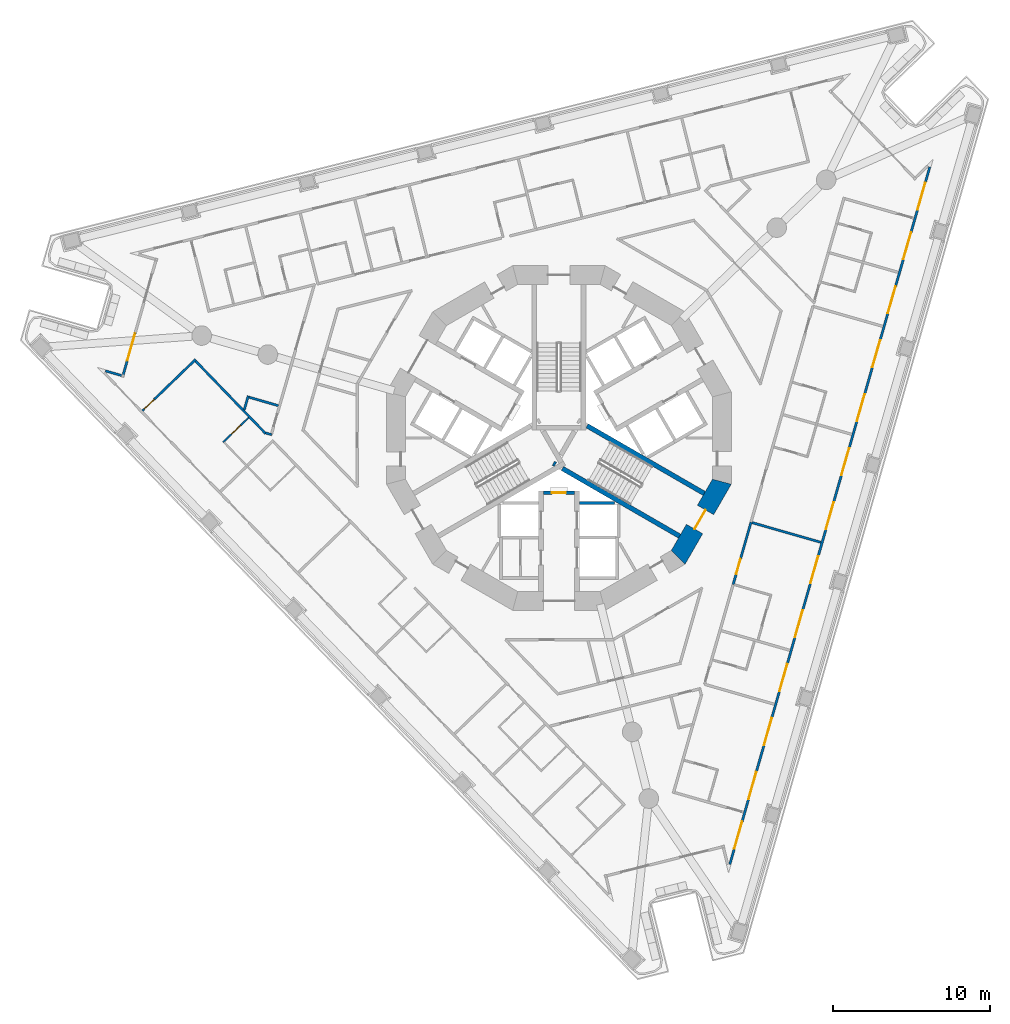
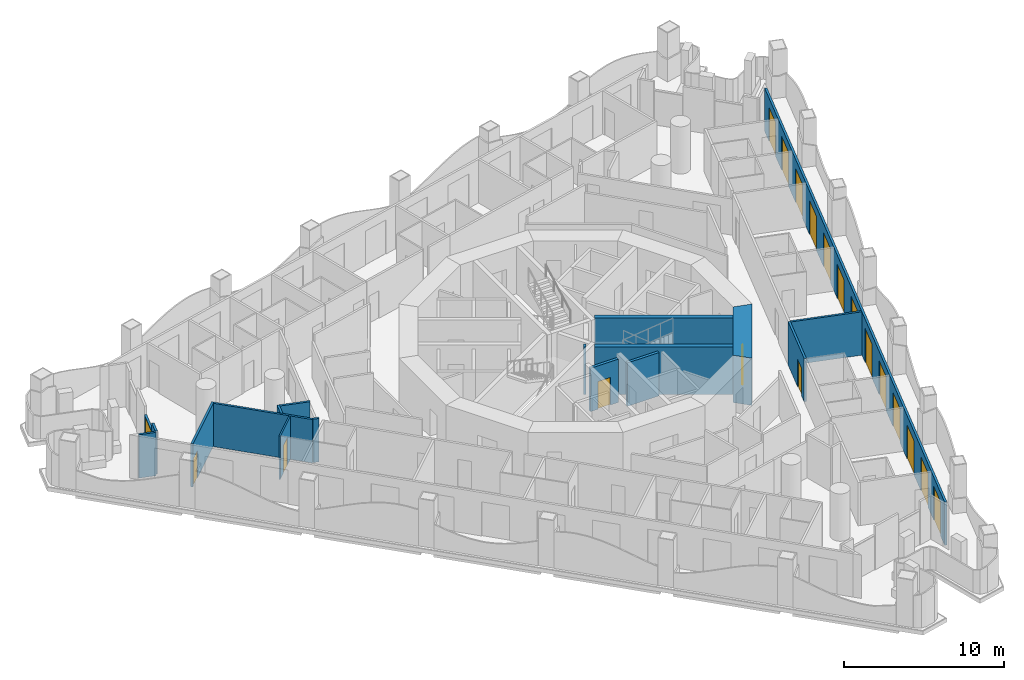
# One storey, part 5 of 18: 19 doors, 18 walls, 19 openings.
"""IFC4 building model written with IfcOpenShell, lengths in metres."""

from ifc_helpers import new_model, si_unit, direction, frame, frame_2d, origin, place, context, subcontext, project, spatial, polyline, rectangle, outline, extrude, material, layer, layer_set, type_object, element, fill, save


model = new_model("IFC4")

# Units and contexts
model_context = context("Model", 3, precision=1e-05, world=origin(), true_north=direction((0.0, 1.0)))
body_context = subcontext(model_context, "Body", "Model", "MODEL_VIEW")
ifc_project = project(units=[si_unit("LENGTHUNIT", "METRE"), si_unit("AREAUNIT", "SQUARE_METRE"), si_unit("VOLUMEUNIT", "CUBIC_METRE"), si_unit("PLANEANGLEUNIT", "RADIAN"), si_unit("MASSUNIT", "GRAM", prefix="KILO")], contexts=[model_context])

# Site, building, storey
site_placement = place(None, origin())
site = spatial("IfcSite", under=ifc_project, at=site_placement, CompositionType="ELEMENT")
building_placement = place(site_placement, origin())
building = spatial("IfcBuilding", under=site, at=building_placement, Name="Trine Commons Tower", CompositionType="ELEMENT")
storey_placement = place(building_placement, frame((0.0, 0.0, 94.5)))
storey = spatial("IfcBuildingStorey", under=building, at=storey_placement, Name="L23", CompositionType="ELEMENT", Elevation=94.5)

# Walls
ifc_material_1 = material(Name="Aluminium-framed insulated wall panel", Category="aluminium")
ifc_layer_1 = layer(ifc_material_1, 0.14990234375)
ifc_layer_set_1 = layer_set([ifc_layer_1], Name="Aluminium-framed insulated wall panel")
wall_type_1 = type_object("IfcWallType", Name="Glazed frame wall 150, EI 60", PredefinedType="SOLIDWALL", material=ifc_layer_set_1)
wall_1_placement = place(storey_placement, frame((50.88232421875, 66.82861328125, 0.0), z_axis=(0.0, 0.0, 1.0), x_axis=(0.961290718071, -0.275536123495, 0.0)))
element("IfcWall", 1, at=wall_1_placement, inside=storey, type_object=wall_type_1, Name="Glazed frame wall R1", PredefinedType="SOLIDWALL", context=body_context, shape_type="SweptSolid", body=[
    extrude(outline(polyline([(0.1494140625, 0.074951171875), (0.1494140625, -0.074951171875), (1.235107421875, -0.074951171875), (1.235107421875, 0.074951171875), (0.1494140625, 0.074951171875)])), origin(), (0.0, 0.0, 1.0), 3.300048828125),
])
wall_2_placement = place(storey_placement, frame((52.1318359375, 66.433837890625, 0.0), z_axis=(0.0, 0.0, 1.0), x_axis=(0.27588175927, 0.961191580749, 0.0)))
element("IfcWall", 2, at=wall_2_placement, inside=storey, type_object=wall_type_1, Name="Glazed frame wall P1.1", PredefinedType="SOLIDWALL", context=body_context, shape_type="SweptSolid", body=[
    extrude(outline(polyline([(0.110107421875, -0.074951171875), (1.0, -0.074951171875), (1.0, 0.074951171875), (0.110107421875, 0.074951171875), (0.110107421875, -0.074951171875)])), origin(), (0.0, 0.0, 1.0), 3.300048828125),
])

# Wall, opening, door
wall_3_placement = place(storey_placement, frame((52.40771484375, 67.39501953125, 0.0), z_axis=(0.0, 0.0, 1.0), x_axis=(0.275620468433, 0.961266538157, 0.0)))
wall_3 = element("IfcWall", 3, at=wall_3_placement, inside=storey, type_object=wall_type_1, Name="Glazed frame wall P1.2", PredefinedType="SOLIDWALL", context=body_context, shape_type="SweptSolid", body=[
    extrude(outline(polyline([(0.0, -0.074951171875), (1.89990234375, -0.074951171875), (1.89990234375, 0.074951171875), (0.0, 0.074951171875), (0.0, -0.074951171875)])), origin(), (0.0, 0.0, 1.0), 2.64990234375),
])
opening_1_placement = place(wall_3_placement, frame((0.050048828125, 0.0, 0.0)))
opening_1 = element("IfcOpeningElement", 4, at=opening_1_placement, cuts=wall_3, Name="Opening BD-3P1-01", PredefinedType="OPENING", context=body_context, shape_type="SweptSolid", body=[
    extrude(rectangle(XDim=1.800048828125, YDim=2.60009765625, at=frame_2d((0.89990234375, 1.300048828125))), frame((0.0, 0.0849609375, 0.0), z_axis=(0.0, -1.0, 0.0), x_axis=(1.0, 0.0, 0.0)), (0.0, 0.0, 1.0), 0.169921875),
])
ifc_material_2 = material(Name="Anodised aluminium frame with double glazing", Category="aluminium")
door_type_1 = type_object("IfcDoorType", Name="Sliding loggia door 1800x2600", OperationType="SLIDING_TO_LEFT", PredefinedType="DOOR", material=ifc_material_2)
door_1_placement = place(opening_1_placement, origin())
door_1 = element("IfcDoor", 5, at=door_1_placement, inside=storey, type_object=door_type_1, Name="Loggia door P1 1", OperationType="SLIDING_TO_LEFT", OverallHeight=2.60009765625, OverallWidth=1.800048828125, PredefinedType="DOOR", context=body_context, shape_type="SweptSolid", body=[
    extrude(rectangle(XDim=1.800048828125, YDim=2.60009765625, at=frame_2d((0.89990234375, 1.300048828125))), frame((0.0, 0.02490234375, 0.0), z_axis=(0.0, -1.0, 0.0), x_axis=(1.0, 0.0, 0.0)), (0.0, 0.0, 1.0), 0.050048828125),
])
fill(opening_1, door_1)

# Wall, openings, doors
wall_4_placement = place(storey_placement, frame((103.735107421875, 79.95703125, 0.0), z_axis=(0.0, 0.0, 1.0), x_axis=(-0.275637625225, -0.961261618687, 0.0)))
wall_4 = element("IfcWall", 6, at=wall_4_placement, inside=storey, type_object=wall_type_1, Name="Glazed frame wall F2", PredefinedType="SOLIDWALL", context=body_context, shape_type="SweptSolid", body=[
    extrude(outline(polyline([(0.1494140625, 0.074951171875), (0.1494140625, -0.074951171875), (46.496826171875, -0.074951171875), (46.496826171875, 0.074951171875), (0.1494140625, 0.074951171875)])), origin(), (0.0, 0.0, 1.0), 3.300048828125),
])
opening_2_placement = place(wall_4_placement, frame((1.194091796875, 0.0, 0.0)))
opening_2 = element("IfcOpeningElement", 7, at=opening_2_placement, cuts=wall_4, Name="Opening BD-3F2-01", PredefinedType="OPENING", context=body_context, shape_type="SweptSolid", body=[
    extrude(rectangle(XDim=1.800048828125, YDim=2.60009765625, at=frame_2d((0.89990234375, 1.300048828125))), frame((0.0, 0.0849609375, 0.0), z_axis=(0.0, -1.0, 0.0), x_axis=(1.0, 0.0, 0.0)), (0.0, 0.0, 1.0), 0.169921875),
])
opening_3_placement = place(wall_4_placement, frame((4.482421875, 0.0, 0.0)))
opening_3 = element("IfcOpeningElement", 8, at=opening_3_placement, cuts=wall_4, Name="Opening BD-3F2-02", PredefinedType="OPENING", context=body_context, shape_type="SweptSolid", body=[
    extrude(rectangle(XDim=1.800048828125, YDim=2.60009765625, at=frame_2d((0.89990234375, 1.300048828125))), frame((0.0, 0.0849609375, 0.0), z_axis=(0.0, -1.0, 0.0), x_axis=(1.0, 0.0, 0.0)), (0.0, 0.0, 1.0), 0.169921875),
])
opening_4_placement = place(wall_4_placement, frame((8.070556640625, 0.0, 0.0)))
opening_4 = element("IfcOpeningElement", 9, at=opening_4_placement, cuts=wall_4, Name="Opening BD-3F2-03", PredefinedType="OPENING", context=body_context, shape_type="SweptSolid", body=[
    extrude(rectangle(XDim=1.800048828125, YDim=2.60009765625, at=frame_2d((0.89990234375, 1.300048828125))), frame((0.0, 0.0849609375, 0.0), z_axis=(0.0, -1.0, 0.0), x_axis=(1.0, 0.0, 0.0)), (0.0, 0.0, 1.0), 0.169921875),
])
opening_5_placement = place(wall_4_placement, frame((11.65869140625, 0.0, 0.0)))
opening_5 = element("IfcOpeningElement", 10, at=opening_5_placement, cuts=wall_4, Name="Opening BD-3F2-04", PredefinedType="OPENING", context=body_context, shape_type="SweptSolid", body=[
    extrude(rectangle(XDim=1.800048828125, YDim=2.60009765625, at=frame_2d((0.89990234375, 1.300048828125))), frame((0.0, 0.0849609375, 0.0), z_axis=(0.0, -1.0, 0.0), x_axis=(1.0, 0.0, 0.0)), (0.0, 0.0, 1.0), 0.169921875),
])
opening_6_placement = place(wall_4_placement, frame((15.246826171875, 0.0, 0.0)))
opening_6 = element("IfcOpeningElement", 11, at=opening_6_placement, cuts=wall_4, Name="Opening BD-3F2-05", PredefinedType="OPENING", context=body_context, shape_type="SweptSolid", body=[
    extrude(rectangle(XDim=1.800048828125, YDim=2.60009765625, at=frame_2d((0.89990234375, 1.300048828125))), frame((0.0, 0.0849609375, 0.0), z_axis=(0.0, -1.0, 0.0), x_axis=(1.0, 0.0, 0.0)), (0.0, 0.0, 1.0), 0.169921875),
])
opening_7_placement = place(wall_4_placement, frame((18.835205078125, 0.0, 0.0)))
opening_7 = element("IfcOpeningElement", 12, at=opening_7_placement, cuts=wall_4, Name="Opening BD-3F2-06", PredefinedType="OPENING", context=body_context, shape_type="SweptSolid", body=[
    extrude(rectangle(XDim=1.800048828125, YDim=2.60009765625, at=frame_2d((0.89990234375, 1.300048828125))), frame((0.0, 0.0849609375, 0.0), z_axis=(0.0, -1.0, 0.0), x_axis=(1.0, 0.0, 0.0)), (0.0, 0.0, 1.0), 0.169921875),
])
opening_8_placement = place(wall_4_placement, frame((22.42333984375, 0.0, 0.0)))
opening_8 = element("IfcOpeningElement", 13, at=opening_8_placement, cuts=wall_4, Name="Opening BD-3F2-07", PredefinedType="OPENING", context=body_context, shape_type="SweptSolid", body=[
    extrude(rectangle(XDim=1.800048828125, YDim=2.60009765625, at=frame_2d((0.89990234375, 1.300048828125))), frame((0.0, 0.0849609375, 0.0), z_axis=(0.0, -1.0, 0.0), x_axis=(1.0, 0.0, 0.0)), (0.0, 0.0, 1.0), 0.169921875),
])
opening_9_placement = place(wall_4_placement, frame((26.011474609375, 0.0, 0.0)))
opening_9 = element("IfcOpeningElement", 14, at=opening_9_placement, cuts=wall_4, Name="Opening BD-3F2-08", PredefinedType="OPENING", context=body_context, shape_type="SweptSolid", body=[
    extrude(rectangle(XDim=1.800048828125, YDim=2.60009765625, at=frame_2d((0.89990234375, 1.300048828125))), frame((0.0, 0.0849609375, 0.0), z_axis=(0.0, -1.0, 0.0), x_axis=(1.0, 0.0, 0.0)), (0.0, 0.0, 1.0), 0.169921875),
])
opening_10_placement = place(wall_4_placement, frame((29.599609375, 0.0, 0.0)))
opening_10 = element("IfcOpeningElement", 15, at=opening_10_placement, cuts=wall_4, Name="Opening BD-3F2-09", PredefinedType="OPENING", context=body_context, shape_type="SweptSolid", body=[
    extrude(rectangle(XDim=1.800048828125, YDim=2.60009765625, at=frame_2d((0.89990234375, 1.300048828125))), frame((0.0, 0.0849609375, 0.0), z_axis=(0.0, -1.0, 0.0), x_axis=(1.0, 0.0, 0.0)), (0.0, 0.0, 1.0), 0.169921875),
])
opening_11_placement = place(wall_4_placement, frame((33.18798828125, 0.0, 0.0)))
opening_11 = element("IfcOpeningElement", 16, at=opening_11_placement, cuts=wall_4, Name="Opening BD-3F2-10", PredefinedType="OPENING", context=body_context, shape_type="SweptSolid", body=[
    extrude(rectangle(XDim=1.800048828125, YDim=2.60009765625, at=frame_2d((0.89990234375, 1.300048828125))), frame((0.0, 0.0849609375, 0.0), z_axis=(0.0, -1.0, 0.0), x_axis=(1.0, 0.0, 0.0)), (0.0, 0.0, 1.0), 0.169921875),
])
opening_12_placement = place(wall_4_placement, frame((36.776123046875, 0.0, 0.0)))
opening_12 = element("IfcOpeningElement", 17, at=opening_12_placement, cuts=wall_4, Name="Opening BD-3F2-11", PredefinedType="OPENING", context=body_context, shape_type="SweptSolid", body=[
    extrude(rectangle(XDim=1.800048828125, YDim=2.60009765625, at=frame_2d((0.89990234375, 1.300048828125))), frame((0.0, 0.0849609375, 0.0), z_axis=(0.0, -1.0, 0.0), x_axis=(1.0, 0.0, 0.0)), (0.0, 0.0, 1.0), 0.169921875),
])
opening_13_placement = place(wall_4_placement, frame((40.3642578125, 0.0, 0.0)))
opening_13 = element("IfcOpeningElement", 18, at=opening_13_placement, cuts=wall_4, Name="Opening BD-3F2-12", PredefinedType="OPENING", context=body_context, shape_type="SweptSolid", body=[
    extrude(rectangle(XDim=1.800048828125, YDim=2.60009765625, at=frame_2d((0.89990234375, 1.300048828125))), frame((0.0, 0.0849609375, 0.0), z_axis=(0.0, -1.0, 0.0), x_axis=(1.0, 0.0, 0.0)), (0.0, 0.0, 1.0), 0.169921875),
])
opening_14_placement = place(wall_4_placement, frame((43.652587890625, 0.0, 0.0)))
opening_14 = element("IfcOpeningElement", 19, at=opening_14_placement, cuts=wall_4, Name="Opening BD-3F2-13", PredefinedType="OPENING", context=body_context, shape_type="SweptSolid", body=[
    extrude(rectangle(XDim=1.800048828125, YDim=2.60009765625, at=frame_2d((0.89990234375, 1.300048828125))), frame((0.0, 0.0849609375, 0.0), z_axis=(0.0, -1.0, 0.0), x_axis=(1.0, 0.0, 0.0)), (0.0, 0.0, 1.0), 0.169921875),
])
door_2_placement = place(opening_2_placement, origin())
door_2 = element("IfcDoor", 20, at=door_2_placement, inside=storey, type_object=door_type_1, Name="Loggia door F2 1", OperationType="SLIDING_TO_LEFT", OverallHeight=2.60009765625, OverallWidth=1.800048828125, PredefinedType="DOOR", context=body_context, shape_type="SweptSolid", body=[
    extrude(rectangle(XDim=1.800048828125, YDim=2.60009765625, at=frame_2d((0.89990234375, 1.300048828125))), frame((0.0, 0.02490234375, 0.0), z_axis=(0.0, -1.0, 0.0), x_axis=(1.0, 0.0, 0.0)), (0.0, 0.0, 1.0), 0.050048828125),
])
fill(opening_2, door_2)
door_3_placement = place(opening_3_placement, origin())
door_3 = element("IfcDoor", 21, at=door_3_placement, inside=storey, type_object=door_type_1, Name="Loggia door F2 2", OperationType="SLIDING_TO_LEFT", OverallHeight=2.60009765625, OverallWidth=1.800048828125, PredefinedType="DOOR", context=body_context, shape_type="SweptSolid", body=[
    extrude(rectangle(XDim=1.800048828125, YDim=2.60009765625, at=frame_2d((0.89990234375, 1.300048828125))), frame((0.0, 0.02490234375, 0.0), z_axis=(0.0, -1.0, 0.0), x_axis=(1.0, 0.0, 0.0)), (0.0, 0.0, 1.0), 0.050048828125),
])
fill(opening_3, door_3)
door_4_placement = place(opening_4_placement, origin())
door_4 = element("IfcDoor", 22, at=door_4_placement, inside=storey, type_object=door_type_1, Name="Loggia door F2 3", OperationType="SLIDING_TO_LEFT", OverallHeight=2.60009765625, OverallWidth=1.800048828125, PredefinedType="DOOR", context=body_context, shape_type="SweptSolid", body=[
    extrude(rectangle(XDim=1.800048828125, YDim=2.60009765625, at=frame_2d((0.89990234375, 1.300048828125))), frame((0.0, 0.02490234375, 0.0), z_axis=(0.0, -1.0, 0.0), x_axis=(1.0, 0.0, 0.0)), (0.0, 0.0, 1.0), 0.050048828125),
])
fill(opening_4, door_4)
door_5_placement = place(opening_5_placement, origin())
door_5 = element("IfcDoor", 23, at=door_5_placement, inside=storey, type_object=door_type_1, Name="Loggia door F2 4", OperationType="SLIDING_TO_LEFT", OverallHeight=2.60009765625, OverallWidth=1.800048828125, PredefinedType="DOOR", context=body_context, shape_type="SweptSolid", body=[
    extrude(rectangle(XDim=1.800048828125, YDim=2.60009765625, at=frame_2d((0.89990234375, 1.300048828125))), frame((0.0, 0.02490234375, 0.0), z_axis=(0.0, -1.0, 0.0), x_axis=(1.0, 0.0, 0.0)), (0.0, 0.0, 1.0), 0.050048828125),
])
fill(opening_5, door_5)
door_6_placement = place(opening_6_placement, origin())
door_6 = element("IfcDoor", 24, at=door_6_placement, inside=storey, type_object=door_type_1, Name="Loggia door F2 5", OperationType="SLIDING_TO_LEFT", OverallHeight=2.60009765625, OverallWidth=1.800048828125, PredefinedType="DOOR", context=body_context, shape_type="SweptSolid", body=[
    extrude(rectangle(XDim=1.800048828125, YDim=2.60009765625, at=frame_2d((0.89990234375, 1.300048828125))), frame((0.0, 0.02490234375, 0.0), z_axis=(0.0, -1.0, 0.0), x_axis=(1.0, 0.0, 0.0)), (0.0, 0.0, 1.0), 0.050048828125),
])
fill(opening_6, door_6)
door_7_placement = place(opening_7_placement, origin())
door_7 = element("IfcDoor", 25, at=door_7_placement, inside=storey, type_object=door_type_1, Name="Loggia door F2 6", OperationType="SLIDING_TO_LEFT", OverallHeight=2.60009765625, OverallWidth=1.800048828125, PredefinedType="DOOR", context=body_context, shape_type="SweptSolid", body=[
    extrude(rectangle(XDim=1.800048828125, YDim=2.60009765625, at=frame_2d((0.89990234375, 1.300048828125))), frame((0.0, 0.02490234375, 0.0), z_axis=(0.0, -1.0, 0.0), x_axis=(1.0, 0.0, 0.0)), (0.0, 0.0, 1.0), 0.050048828125),
])
fill(opening_7, door_7)
door_8_placement = place(opening_8_placement, origin())
door_8 = element("IfcDoor", 26, at=door_8_placement, inside=storey, type_object=door_type_1, Name="Loggia door F2 7", OperationType="SLIDING_TO_LEFT", OverallHeight=2.60009765625, OverallWidth=1.800048828125, PredefinedType="DOOR", context=body_context, shape_type="SweptSolid", body=[
    extrude(rectangle(XDim=1.800048828125, YDim=2.60009765625, at=frame_2d((0.89990234375, 1.300048828125))), frame((0.0, 0.02490234375, 0.0), z_axis=(0.0, -1.0, 0.0), x_axis=(1.0, 0.0, 0.0)), (0.0, 0.0, 1.0), 0.050048828125),
])
fill(opening_8, door_8)
door_9_placement = place(opening_9_placement, origin())
door_9 = element("IfcDoor", 27, at=door_9_placement, inside=storey, type_object=door_type_1, Name="Loggia door F2 8", OperationType="SLIDING_TO_LEFT", OverallHeight=2.60009765625, OverallWidth=1.800048828125, PredefinedType="DOOR", context=body_context, shape_type="SweptSolid", body=[
    extrude(rectangle(XDim=1.800048828125, YDim=2.60009765625, at=frame_2d((0.89990234375, 1.300048828125))), frame((0.0, 0.02490234375, 0.0), z_axis=(0.0, -1.0, 0.0), x_axis=(1.0, 0.0, 0.0)), (0.0, 0.0, 1.0), 0.050048828125),
])
fill(opening_9, door_9)
door_10_placement = place(opening_10_placement, origin())
door_10 = element("IfcDoor", 28, at=door_10_placement, inside=storey, type_object=door_type_1, Name="Loggia door F2 9", OperationType="SLIDING_TO_LEFT", OverallHeight=2.60009765625, OverallWidth=1.800048828125, PredefinedType="DOOR", context=body_context, shape_type="SweptSolid", body=[
    extrude(rectangle(XDim=1.800048828125, YDim=2.60009765625, at=frame_2d((0.89990234375, 1.300048828125))), frame((0.0, 0.02490234375, 0.0), z_axis=(0.0, -1.0, 0.0), x_axis=(1.0, 0.0, 0.0)), (0.0, 0.0, 1.0), 0.050048828125),
])
fill(opening_10, door_10)
door_11_placement = place(opening_11_placement, origin())
door_11 = element("IfcDoor", 29, at=door_11_placement, inside=storey, type_object=door_type_1, Name="Loggia door F2 10", OperationType="SLIDING_TO_LEFT", OverallHeight=2.60009765625, OverallWidth=1.800048828125, PredefinedType="DOOR", context=body_context, shape_type="SweptSolid", body=[
    extrude(rectangle(XDim=1.800048828125, YDim=2.60009765625, at=frame_2d((0.89990234375, 1.300048828125))), frame((0.0, 0.02490234375, 0.0), z_axis=(0.0, -1.0, 0.0), x_axis=(1.0, 0.0, 0.0)), (0.0, 0.0, 1.0), 0.050048828125),
])
fill(opening_11, door_11)
door_12_placement = place(opening_12_placement, origin())
door_12 = element("IfcDoor", 30, at=door_12_placement, inside=storey, type_object=door_type_1, Name="Loggia door F2 11", OperationType="SLIDING_TO_LEFT", OverallHeight=2.60009765625, OverallWidth=1.800048828125, PredefinedType="DOOR", context=body_context, shape_type="SweptSolid", body=[
    extrude(rectangle(XDim=1.800048828125, YDim=2.60009765625, at=frame_2d((0.89990234375, 1.300048828125))), frame((0.0, 0.02490234375, 0.0), z_axis=(0.0, -1.0, 0.0), x_axis=(1.0, 0.0, 0.0)), (0.0, 0.0, 1.0), 0.050048828125),
])
fill(opening_12, door_12)
door_13_placement = place(opening_13_placement, origin())
door_13 = element("IfcDoor", 31, at=door_13_placement, inside=storey, type_object=door_type_1, Name="Loggia door F2 12", OperationType="SLIDING_TO_LEFT", OverallHeight=2.60009765625, OverallWidth=1.800048828125, PredefinedType="DOOR", context=body_context, shape_type="SweptSolid", body=[
    extrude(rectangle(XDim=1.800048828125, YDim=2.60009765625, at=frame_2d((0.89990234375, 1.300048828125))), frame((0.0, 0.02490234375, 0.0), z_axis=(0.0, -1.0, 0.0), x_axis=(1.0, 0.0, 0.0)), (0.0, 0.0, 1.0), 0.050048828125),
])
fill(opening_13, door_13)
door_14_placement = place(opening_14_placement, origin())
door_14 = element("IfcDoor", 32, at=door_14_placement, inside=storey, type_object=door_type_1, Name="Loggia door F2 13", OperationType="SLIDING_TO_LEFT", OverallHeight=2.60009765625, OverallWidth=1.800048828125, PredefinedType="DOOR", context=body_context, shape_type="SweptSolid", body=[
    extrude(rectangle(XDim=1.800048828125, YDim=2.60009765625, at=frame_2d((0.89990234375, 1.300048828125))), frame((0.0, 0.02490234375, 0.0), z_axis=(0.0, -1.0, 0.0), x_axis=(1.0, 0.0, 0.0)), (0.0, 0.0, 1.0), 0.050048828125),
])
fill(opening_14, door_14)

# Wall, opening, door
ifc_material_3 = material(Name="Fire-rated gypsum shaft wall system")
ifc_layer_2 = layer(ifc_material_3, 0.199951171875)
ifc_layer_set_2 = layer_set([ifc_layer_2], Name="Fire-rated gypsum shaft wall system")
wall_type_2 = type_object("IfcWallType", Name="Lobby end wall 200 mm, EI 120", PredefinedType="PARTITIONING", material=ifc_layer_set_2)
wall_5_placement = place(storey_placement, frame((79.0, 59.0, 0.0), z_axis=(0.0, 0.0, 1.0), x_axis=(1.0, 0.0, 0.0)))
wall_5 = element("IfcWall", 33, at=wall_5_placement, inside=storey, type_object=wall_type_2, Name="Lobby end wall L23", PredefinedType="PARTITIONING", context=body_context, shape_type="SweptSolid", body=[
    extrude(rectangle(XDim=2.0, YDim=0.199951171875, at=frame_2d((1.0, 0.0))), origin(), (0.0, 0.0, 1.0), 3.300048828125),
])
opening_15_placement = place(wall_5_placement, frame((0.550048828125, 0.0, 0.0)))
opening_15 = element("IfcOpeningElement", 34, at=opening_15_placement, cuts=wall_5, Name="Opening K06.09", PredefinedType="OPENING", context=body_context, shape_type="SweptSolid", body=[
    extrude(rectangle(XDim=0.89990234375, YDim=2.10009765625, at=frame_2d((0.449951171875, 1.050048828125))), frame((0.0, 0.10986328125, 0.0), z_axis=(0.0, -1.0, 0.0), x_axis=(1.0, 0.0, 0.0)), (0.0, 0.0, 1.0), 0.219970703125),
])
ifc_material_4 = material(Name="Steel door leaf, fire-rated", Category="steel")
door_type_2 = type_object("IfcDoorType", Name="Riser access door, single leaf 900 x 2100, FD60", OperationType="SINGLE_SWING_LEFT", PredefinedType="DOOR", material=ifc_material_4)
door_15_placement = place(opening_15_placement, frame((0.89990234375, 0.0, 0.0), z_axis=(0.0, 0.0, 1.0), x_axis=(-1.0, 0.0, 0.0)))
door_15 = element("IfcDoor", 35, at=door_15_placement, inside=storey, type_object=door_type_2, Name="Riser door, Communications riser L23", OperationType="SINGLE_SWING_RIGHT", OverallHeight=2.10009765625, OverallWidth=0.89990234375, PredefinedType="DOOR", context=body_context, shape_type="SweptSolid", body=[
    extrude(rectangle(XDim=0.89990234375, YDim=2.10009765625, at=frame_2d((0.449951171875, 1.050048828125))), frame((0.0, 0.02490234375, 0.0), z_axis=(0.0, -1.0, 0.0), x_axis=(1.0, 0.0, 0.0)), (0.0, 0.0, 1.0), 0.050048828125),
])
fill(opening_15, door_15)

ifc_material_5 = material(Name="Concrete C70/85", Category="concrete")
ifc_layer_3 = layer(ifc_material_5, 1.199951171875)
ifc_layer_set_3 = layer_set([ifc_layer_3], Name="Concrete C70/85")
wall_type_3 = type_object("IfcWallType", Name="RC shear wall 1200 mm, C70/85", PredefinedType="SHEAR", material=ifc_layer_set_3)
wall_6_placement = place(storey_placement, frame((87.54150390625, 54.739013671875, 0.0), z_axis=(0.0, 0.0, 1.0), x_axis=(0.499979111662, 0.866037463336, 0.0)))
wall_6 = element("IfcWall", 36, at=wall_6_placement, inside=storey, type_object=wall_type_3, Name="Core wall CWC-12 L23", PredefinedType="SHEAR", context=body_context, shape_type="SweptSolid", body=[
    extrude(outline(polyline([(0.0, -0.60009765625), (5.901123046875, -0.60009765625), (5.57958984375, 0.60009765625), (0.321533203125, 0.60009765625), (0.0, -0.60009765625)])), origin(), (0.0, 0.0, 1.0), 3.60009765625),
])
opening_16_placement = place(wall_6_placement, frame((2.25048828125, 0.0, 0.0)))
opening_16 = element("IfcOpeningElement", 37, at=opening_16_placement, cuts=wall_6, Name="Opening K06.03", PredefinedType="OPENING", context=body_context, shape_type="SweptSolid", body=[
    extrude(rectangle(XDim=1.39990234375, YDim=2.10009765625, at=frame_2d((0.699951171875, 1.050048828125))), frame((0.0, 0.60986328125, 0.0), z_axis=(0.0, -1.0, 0.0), x_axis=(1.0, 0.0, 0.0)), (0.0, 0.0, 1.0), 1.219970703125),
])
ifc_material_6 = material(Name="Steel door leaves, fire-rated", Category="steel")
door_type_3 = type_object("IfcDoorType", Name="Stair door, double leaf 1400 x 2100, FD90", OperationType="DOUBLE_DOOR_SINGLE_SWING", PredefinedType="DOOR", material=ifc_material_6)
door_16_placement = place(opening_16_placement, origin())
door_16 = element("IfcDoor", 38, at=door_16_placement, inside=storey, type_object=door_type_3, Name="Stair door to Exit stair ST3A L23", OperationType="DOUBLE_DOOR_SINGLE_SWING", OverallHeight=2.10009765625, OverallWidth=1.39990234375, PredefinedType="DOOR", context=body_context, shape_type="SweptSolid", body=[
    extrude(rectangle(XDim=1.39990234375, YDim=2.10009765625, at=frame_2d((0.699951171875, 1.050048828125))), frame((0.0, 0.02490234375, 0.0), z_axis=(0.0, -1.0, 0.0), x_axis=(1.0, 0.0, 0.0)), (0.0, 0.0, 1.0), 0.050048828125),
])
fill(opening_16, door_16)

# Walls
ifc_layer_4 = layer(ifc_material_5, 0.300048828125)
ifc_layer_set_4 = layer_set([ifc_layer_4], Name="Concrete C70/85")
wall_type_4 = type_object("IfcWallType", Name="RC shear wall 300 mm, C70/85", PredefinedType="SHEAR", material=ifc_layer_set_4)
wall_7_placement = place(storey_placement, frame((79.64599609375, 60.885986328125, 0.0), z_axis=(0.0, 0.0, 1.0), x_axis=(0.867331893649, -0.497730234424, 0.0)))
element("IfcWall", 39, at=wall_7_placement, inside=storey, type_object=wall_type_4, Name="Core cross wall SWA-11 L23", PredefinedType="SHEAR", context=body_context, shape_type="SweptSolid", body=[
    extrude(rectangle(XDim=0.148681640625, YDim=0.300048828125, at=frame_2d((0.07421875, 0.0))), origin(), (0.0, 0.0, 1.0), 3.60009765625),
])
for number, where, z_axis, x_axis, name in (
    (40, (80.22509765625, 60.552001953125, 0.0), (0.0, 0.0, 1.0), (0.865965399159, -0.500103916661, 0.0), "Core cross wall SWA-13 L23"),
    (41, (81.800048828125, 63.280029296875, 0.0), (0.0, 0.0, 1.0), (0.865965399159, -0.500103916661, 0.0), "Core cross wall SWA-18 L23"),
):
    element("IfcWall", number, at=place(storey_placement, frame(where, z_axis=z_axis, x_axis=x_axis)), inside=storey, type_object=wall_type_4, Name=name, PredefinedType="SHEAR", context=body_context, shape_type="SweptSolid", body=[
        extrude(rectangle(XDim=8.642333984375, YDim=0.300048828125, at=frame_2d((4.3212890625, 0.0))), origin(), (0.0, 0.0, 1.0), 3.60009765625),
    ])
ifc_layer_5 = layer(ifc_material_3, 0.199951171875)
ifc_layer_set_5 = layer_set([ifc_layer_5], Name="Fire-rated gypsum shaft wall system")
wall_type_5 = type_object("IfcWallType", Name="Shaft wall 200 mm, EI 120", PredefinedType="PARTITIONING", material=ifc_layer_set_5)
wall_8_placement = place(storey_placement, frame((81.300048828125, 58.35009765625, 0.0), z_axis=(0.0, 0.0, 1.0), x_axis=(1.0, 0.0, 0.0)))
element("IfcWall", 42, at=wall_8_placement, inside=storey, type_object=wall_type_5, Name="Shaft wall L23", PredefinedType="PARTITIONING", context=body_context, shape_type="SweptSolid", body=[
    extrude(rectangle(XDim=2.264892578125, YDim=0.199951171875, at=frame_2d((1.13232421875, 0.0))), origin(), (0.0, 0.0, 1.0), 3.300048828125),
])

# Wall, opening, door
ifc_material_7 = material(Name="Gypsum plasterboard on steel stud", Category="steel")
ifc_layer_6 = layer(ifc_material_7, 0.14990234375)
ifc_layer_set_6 = layer_set([ifc_layer_6], Name="Gypsum plasterboard on steel stud")
wall_type_6 = type_object("IfcWallType", Name="Unit and corridor wall 150 mm, EI 60", PredefinedType="PARTITIONING", material=ifc_layer_set_6)
wall_9_placement = place(storey_placement, frame((53.393798828125, 64.24169921875, 0.0), z_axis=(0.0, 0.0, 1.0), x_axis=(0.719250925674, 0.694750391088, 0.0)))
wall_9 = element("IfcWall", 43, at=wall_9_placement, inside=storey, type_object=wall_type_6, Name="Partition 001", PredefinedType="PARTITIONING", context=body_context, shape_type="SweptSolid", body=[
    extrude(rectangle(XDim=4.723388671875, YDim=0.14990234375, at=frame_2d((2.36181640625, 0.0))), origin(), (0.0, 0.0, 1.0), 3.300048828125),
])
opening_17_placement = place(wall_9_placement, frame((0.14990234375, 0.0, 0.0)))
opening_17 = element("IfcOpeningElement", 44, at=opening_17_placement, cuts=wall_9, Name="Opening D-3A28", PredefinedType="OPENING", context=body_context, shape_type="SweptSolid", body=[
    extrude(rectangle(XDim=0.89990234375, YDim=2.10009765625, at=frame_2d((0.449951171875, 1.050048828125))), frame((0.0, 0.0849609375, 0.0), z_axis=(0.0, -1.0, 0.0), x_axis=(1.0, 0.0, 0.0)), (0.0, 0.0, 1.0), 0.169921875),
])
ifc_material_8 = material(Name="Timber fire door set", Category="wood")
door_type_4 = type_object("IfcDoorType", Name="Bedroom door 900 x 2100, FD30S", OperationType="NOTDEFINED", PredefinedType="DOOR", material=ifc_material_8)
door_17_placement = place(opening_17_placement, frame((0.89990234375, 0.0, 0.0), z_axis=(0.0, 0.0, 1.0), x_axis=(-1.0, 0.0, 0.0)))
door_17 = element("IfcDoor", 45, at=door_17_placement, inside=storey, type_object=door_type_4, Name="Door D-3A28", OperationType="SINGLE_SWING_RIGHT", OverallHeight=2.10009765625, OverallWidth=0.89990234375, PredefinedType="DOOR", context=body_context, shape_type="SweptSolid", body=[
    extrude(rectangle(XDim=0.89990234375, YDim=2.10009765625, at=frame_2d((0.449951171875, 1.050048828125))), frame((0.0, 0.02490234375, 0.0), z_axis=(0.0, -1.0, 0.0), x_axis=(1.0, 0.0, 0.0)), (0.0, 0.0, 1.0), 0.050048828125),
])
fill(opening_17, door_17)

# Walls
wall_10_placement = place(storey_placement, frame((56.7890625, 67.4169921875, 0.0), z_axis=(0.0, 0.0, 1.0), x_axis=(0.694658112977, -0.719340048986, 0.0)))
element("IfcWall", 46, at=wall_10_placement, inside=storey, type_object=wall_type_6, Name="Partition 003", PredefinedType="PARTITIONING", context=body_context, shape_type="SweptSolid", body=[
    extrude(rectangle(XDim=6.439453125, YDim=0.14990234375, at=frame_2d((3.2197265625, 0.0))), origin(), (0.0, 0.0, 1.0), 3.300048828125),
])
wall_11_placement = place(storey_placement, frame((59.8935546875, 64.295166015625, 0.0), z_axis=(0.0, 0.0, 1.0), x_axis=(0.275099226296, 0.96141583911, 0.0)))
element("IfcWall", 47, at=wall_11_placement, inside=storey, type_object=wall_type_6, Name="Partition 011", PredefinedType="PARTITIONING", context=body_context, shape_type="SweptSolid", body=[
    extrude(rectangle(XDim=0.93798828125, YDim=0.14990234375, at=frame_2d((0.468994140625, 0.0))), origin(), (0.0, 0.0, 1.0), 3.300048828125),
])
wall_12_placement = place(storey_placement, frame((60.203125, 65.104248046875, 0.0), z_axis=(0.0, 0.0, 1.0), x_axis=(0.961258970078, -0.275646861845, 0.0)))
element("IfcWall", 48, at=wall_12_placement, inside=storey, type_object=wall_type_6, Name="Partition 013", PredefinedType="PARTITIONING", context=body_context, shape_type="SweptSolid", body=[
    extrude(rectangle(XDim=1.9501953125, YDim=0.14990234375, at=frame_2d((0.97509765625, 0.0))), origin(), (0.0, 0.0, 1.0), 3.300048828125),
])
wall_13_placement = place(storey_placement, frame((61.261962890625, 62.823974609375, 0.0), z_axis=(0.0, 0.0, 1.0), x_axis=(0.960829843292, -0.2771389764, 0.0)))
element("IfcWall", 49, at=wall_13_placement, inside=storey, type_object=wall_type_6, Name="Partition 016", PredefinedType="PARTITIONING", context=body_context, shape_type="SweptSolid", body=[
    extrude(rectangle(XDim=0.39990234375, YDim=0.14990234375, at=frame_2d((0.199951171875, 0.0))), origin(), (0.0, 0.0, 1.0), 3.300048828125),
])

# Wall, opening, door
wall_14_placement = place(storey_placement, frame((91.134033203125, 53.14404296875, 0.0), z_axis=(0.0, 0.0, 1.0), x_axis=(0.275508856515, 0.961298533226, 0.0)))
wall_14 = element("IfcWall", 50, at=wall_14_placement, inside=storey, type_object=wall_type_6, Name="Partition 107", PredefinedType="PARTITIONING", context=body_context, shape_type="SweptSolid", body=[
    extrude(rectangle(XDim=4.1337890625, YDim=0.14990234375, at=frame_2d((2.06689453125, 0.0))), origin(), (0.0, 0.0, 1.0), 3.300048828125),
])
opening_18_placement = place(wall_14_placement, frame((0.69189453125, 0.0, 0.0)))
opening_18 = element("IfcOpeningElement", 51, at=opening_18_placement, cuts=wall_14, Name="Opening D-3A19", PredefinedType="OPENING", context=body_context, shape_type="SweptSolid", body=[
    extrude(rectangle(XDim=1.0, YDim=2.10009765625, at=frame_2d((0.5, 1.050048828125))), frame((0.0, 0.0849609375, 0.0), z_axis=(0.0, -1.0, 0.0), x_axis=(1.0, 0.0, 0.0)), (0.0, 0.0, 1.0), 0.169921875),
])
door_type_5 = type_object("IfcDoorType", Name="Bedroom door 1000 x 2100, FD30S", OperationType="NOTDEFINED", PredefinedType="DOOR", material=ifc_material_8)
door_18_placement = place(opening_18_placement, frame((1.0, 0.0, 0.0), z_axis=(0.0, 0.0, 1.0), x_axis=(-1.0, 0.0, 0.0)))
door_18 = element("IfcDoor", 52, at=door_18_placement, inside=storey, type_object=door_type_5, Name="Door D-3A19", OperationType="SINGLE_SWING_RIGHT", OverallHeight=2.10009765625, OverallWidth=1.0, PredefinedType="DOOR", context=body_context, shape_type="SweptSolid", body=[
    extrude(rectangle(XDim=1.0, YDim=2.10009765625, at=frame_2d((0.5, 1.050048828125))), frame((0.0, 0.02490234375, 0.0), z_axis=(0.0, -1.0, 0.0), x_axis=(1.0, 0.0, 0.0)), (0.0, 0.0, 1.0), 0.050048828125),
])
fill(opening_18, door_18)

# Wall
wall_15_placement = place(storey_placement, frame((92.343994140625, 57.09326171875, 0.0), z_axis=(0.0, 0.0, 1.0), x_axis=(0.961269673231, -0.275609534171, 0.0)))
element("IfcWall", 53, at=wall_15_placement, inside=storey, type_object=wall_type_6, Name="Partition 112", PredefinedType="PARTITIONING", context=body_context, shape_type="SweptSolid", body=[
    extrude(rectangle(XDim=4.572509765625, YDim=0.14990234375, at=frame_2d((2.2861328125, 0.0))), origin(), (0.0, 0.0, 1.0), 3.300048828125),
])

# Wall, opening, door
ifc_layer_7 = layer(ifc_material_7, 0.10009765625)
ifc_layer_set_7 = layer_set([ifc_layer_7], Name="Gypsum plasterboard on steel stud")
wall_type_7 = type_object("IfcWallType", Name="Unit partition 100 mm, no rating", PredefinedType="PARTITIONING", material=ifc_layer_set_7)
wall_16_placement = place(storey_placement, frame((58.5380859375, 62.222412109375, 0.0), z_axis=(0.0, 0.0, 1.0), x_axis=(0.719390368222, 0.694606002068, 0.0)))
wall_16 = element("IfcWall", 54, at=wall_16_placement, inside=storey, type_object=wall_type_7, Name="Partition 006", PredefinedType="PARTITIONING", context=body_context, shape_type="SweptSolid", body=[
    extrude(rectangle(XDim=2.275390625, YDim=0.10009765625, at=frame_2d((1.1376953125, 0.0))), origin(), (0.0, 0.0, 1.0), 3.300048828125),
])
opening_19_placement = place(wall_16_placement, frame((0.7626953125, 0.0, 0.0)))
opening_19 = element("IfcOpeningElement", 55, at=opening_19_placement, cuts=wall_16, Name="Opening D-3A57", PredefinedType="OPENING", context=body_context, shape_type="SweptSolid", body=[
    extrude(rectangle(XDim=0.800048828125, YDim=2.10009765625, at=frame_2d((0.39990234375, 1.050048828125))), frame((0.0, 0.06005859375, 0.0), z_axis=(0.0, -1.0, 0.0), x_axis=(1.0, 0.0, 0.0)), (0.0, 0.0, 1.0), 0.1201171875),
])
ifc_material_9 = material(Name="Painted timber", Category="wood")
door_type_6 = type_object("IfcDoorType", Name="Internal door 800 x 2100, NOT RATED", OperationType="NOTDEFINED", PredefinedType="DOOR", material=ifc_material_9)
door_19_placement = place(opening_19_placement, origin())
door_19 = element("IfcDoor", 56, at=door_19_placement, inside=storey, type_object=door_type_6, Name="Door D-3A57", OperationType="SINGLE_SWING_RIGHT", OverallHeight=2.10009765625, OverallWidth=0.800048828125, PredefinedType="DOOR", context=body_context, shape_type="SweptSolid", body=[
    extrude(rectangle(XDim=0.800048828125, YDim=2.10009765625, at=frame_2d((0.39990234375, 1.050048828125))), frame((0.0, 0.02490234375, 0.0), z_axis=(0.0, -1.0, 0.0), x_axis=(1.0, 0.0, 0.0)), (0.0, 0.0, 1.0), 0.050048828125),
])
fill(opening_19, door_19)

save(model, "model.ifc")
